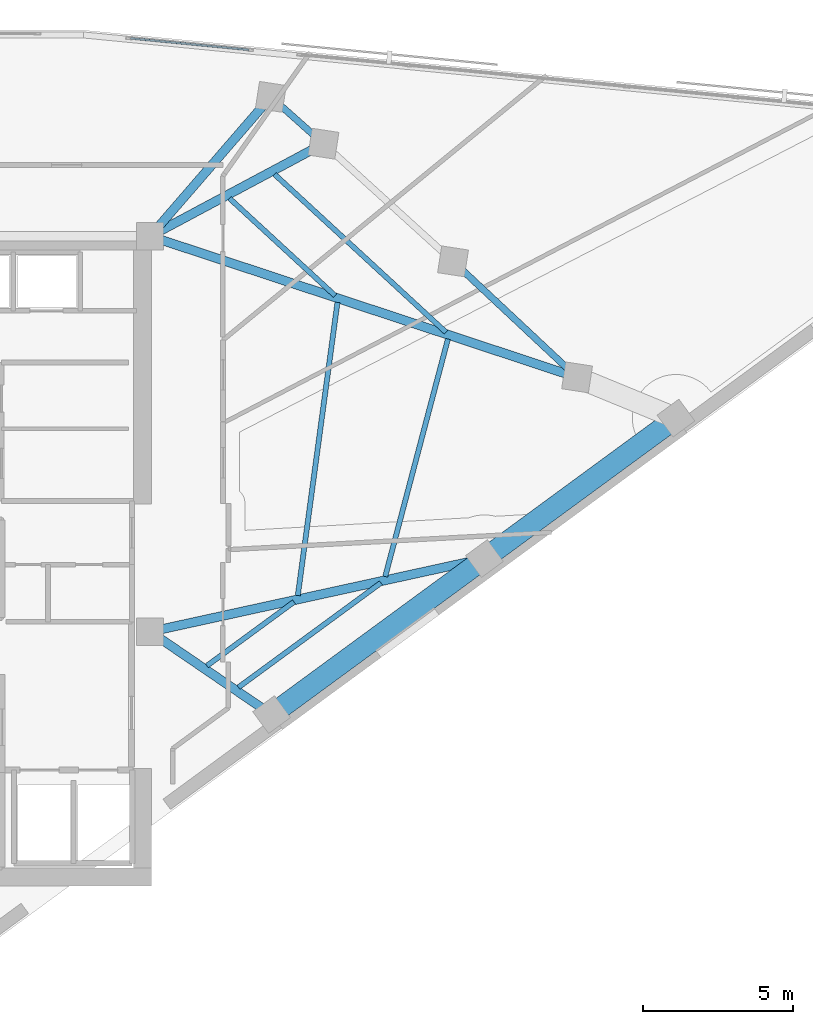
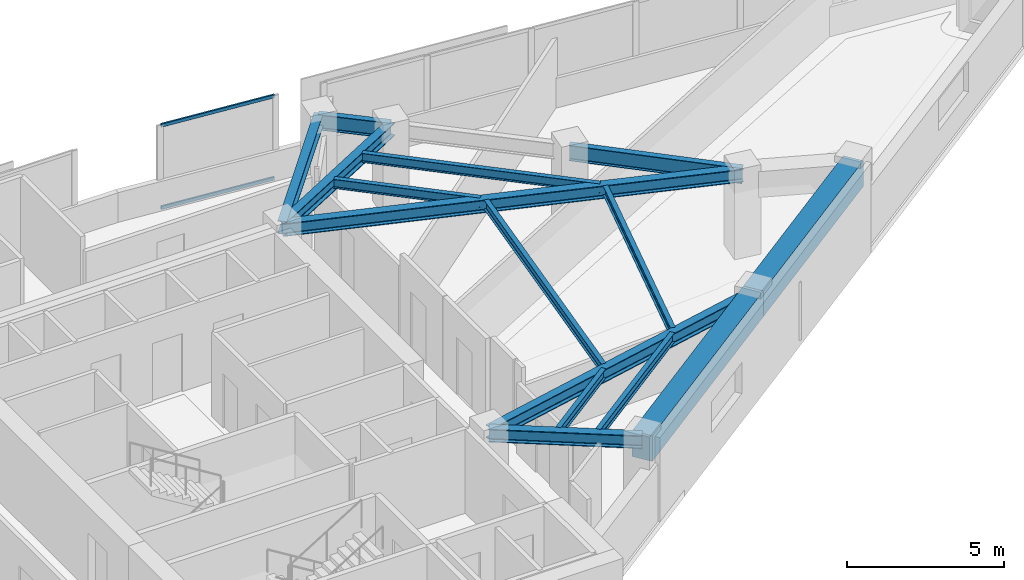
# One storey, part 4 of 13: 15 beams, 2 members, 1 element without a shape of its own.
"""IFC4 building model written with IfcOpenShell, lengths in metres."""

from ifc_helpers import new_model, si_unit, direction, frame, origin, origin_2d, place, context, subcontext, project, spatial, rectangle, hollow_rectangle, i_section, extrude, material, material_profile, profile_set, type_object, element, aggregate, save


model = new_model("IFC4")

# Units and contexts
model_context = context("Model", 3, precision=1e-05, world=origin(), true_north=direction((0.0, 1.0)))
body_context = subcontext(model_context, "Body", "Model", "MODEL_VIEW")
ifc_project = project(units=[si_unit("LENGTHUNIT", "METRE"), si_unit("AREAUNIT", "SQUARE_METRE"), si_unit("VOLUMEUNIT", "CUBIC_METRE"), si_unit("PLANEANGLEUNIT", "RADIAN"), si_unit("MASSUNIT", "GRAM", prefix="KILO")], contexts=[model_context])

# Site, building, storey
site_placement = place(None, origin())
site = spatial("IfcSite", under=ifc_project, at=site_placement, CompositionType="ELEMENT")
building_placement = place(site_placement, origin())
building = spatial("IfcBuilding", under=site, at=building_placement, Name="Narakoshi Arena Tower", CompositionType="ELEMENT")
storey_placement = place(building_placement, frame((0.0, 0.0, 246.659912109375)))
storey = spatial("IfcBuildingStorey", under=building, at=storey_placement, Name="L67", CompositionType="ELEMENT", Elevation=246.659912109375)

# Beams
ifc_material_1 = material(Name="Concrete C60/75", Category="concrete")
ifc_material_profile_1 = material_profile(ifc_material_1, rectangle(XDim=0.699951171875, YDim=1.0, at=origin_2d()), Name="RCB700x1000")
ifc_profile_set_1 = profile_set([ifc_material_profile_1], Name="Concrete C60/75")
beam_type_1 = type_object("IfcBeamType", Name="BM-CPL-1000", PredefinedType="BEAM", material=ifc_profile_set_1)
beam_1_placement = place(storey_placement, frame((89.58642578125, 40.594482421875, 2.760009765625), z_axis=(0.806446564509, 0.591306974922, 0.0), x_axis=(-0.591306974922, 0.806446564509, 0.0)))
element("IfcBeam", 1, at=beam_1_placement, inside=storey, type_object=beam_type_1, Name="L67 Perimeter Edge Girder 01", PredefinedType="BEAM", context=body_context, shape_type="SweptSolid", body=[
    extrude(rectangle(XDim=0.699951171875, YDim=1.0, at=origin_2d()), origin(), (0.0, 0.0, 1.0), 8.775390625),
])
beam_2_placement = place(storey_placement, frame((96.663330078125, 45.783447265625, 2.760009765625), z_axis=(0.806437425649, 0.59131943864, 0.0), x_axis=(-0.59131943864, 0.806437425649, 0.0)))
element("IfcBeam", 2, at=beam_2_placement, inside=storey, type_object=beam_type_1, Name="L67 Perimeter Edge Girder 02", PredefinedType="BEAM", context=body_context, shape_type="SweptSolid", body=[
    extrude(rectangle(XDim=0.699951171875, YDim=1.0, at=origin_2d()), origin(), (0.0, 0.0, 1.0), 7.89794921875),
])
ifc_material_2 = material(Name="Structural steel S355J2", Category="steel")
ifc_material_profile_2 = material_profile(ifc_material_2, i_section(OverallWidth=0.219970703125, OverallDepth=0.60009765625, WebThickness=0.011962890625, FlangeThickness=0.01904296875, FilletRadius=0.02392578125, at=origin_2d()), Name="IPE600")
ifc_profile_set_2 = profile_set([ifc_material_profile_2], Name="Structural steel S355J2")
beam_type_2 = type_object("IfcBeamType", Name="BM-EDGE-600", PredefinedType="BEAM", material=ifc_profile_set_2)
beam_3_placement = place(storey_placement, frame((99.74267578125, 51.80712890625, 2.960205078125), z_axis=(-0.730193480459, 0.683240427006, 0.0), x_axis=(-0.683240427006, -0.730193480459, 0.0)))
element("IfcBeam", 3, at=beam_3_placement, inside=storey, type_object=beam_type_2, Name="L67 Perimeter Edge Girder 04", PredefinedType="BEAM", context=body_context, shape_type="SweptSolid", body=[
    extrude(i_section(OverallWidth=0.219970703125, OverallDepth=0.60009765625, WebThickness=0.011962890625, FlangeThickness=0.01904296875, FilletRadius=0.02392578125, at=origin_2d()), origin(), (0.0, 0.0, 1.0), 5.646728515625),
])
beam_4_placement = place(storey_placement, frame((91.311279296875, 59.576416015625, 2.960205078125), z_axis=(-0.746770864852, 0.665081405099, 0.0), x_axis=(-0.665081405099, -0.746770864852, 0.0)))
element("IfcBeam", 4, at=beam_4_placement, inside=storey, type_object=beam_type_2, Name="L67 Perimeter Edge Girder 06", PredefinedType="BEAM", context=body_context, shape_type="SweptSolid", body=[
    extrude(i_section(OverallWidth=0.219970703125, OverallDepth=0.60009765625, WebThickness=0.011962890625, FlangeThickness=0.01904296875, FilletRadius=0.02392578125, at=origin_2d()), origin(), (0.0, 0.0, 1.0), 2.343017578125),
])
ifc_material_profile_3 = material_profile(ifc_material_2, i_section(OverallWidth=0.300048828125, OverallDepth=0.5, WebThickness=0.014404296875, FlangeThickness=0.028076171875, FilletRadius=0.027099609375, at=origin_2d()), Name="HE500B")
ifc_profile_set_3 = profile_set([ifc_material_profile_3], Name="Structural steel S355J2")
beam_type_3 = type_object("IfcBeamType", Name="BM-PRI-500", PredefinedType="BEAM", material=ifc_profile_set_3)
beam_5_placement = place(storey_placement, frame((85.550048828125, 43.35009765625, 3.010009765625), z_axis=(0.825890057955, -0.563831191201, 0.0), x_axis=(0.563831191201, 0.825890057955, 0.0)))
element("IfcBeam", 5, at=beam_5_placement, inside=storey, type_object=beam_type_3, Name="L67 Radial Primary Floor Girder 01", PredefinedType="BEAM", context=body_context, shape_type="SweptSolid", body=[
    extrude(i_section(OverallWidth=0.300048828125, OverallDepth=0.5, WebThickness=0.014404296875, FlangeThickness=0.028076171875, FilletRadius=0.027099609375, at=origin_2d()), origin(), (0.0, 0.0, 1.0), 4.88720703125),
])
beam_6_placement = place(storey_placement, frame((85.550048828125, 43.35009765625, 3.010009765625), z_axis=(0.976857438099, 0.213891434216, 0.0), x_axis=(-0.213891434216, 0.976857438099, 0.0)))
element("IfcBeam", 6, at=beam_6_placement, inside=storey, type_object=beam_type_3, Name="L67 Radial Primary Floor Girder 02", PredefinedType="BEAM", context=body_context, shape_type="SweptSolid", body=[
    extrude(i_section(OverallWidth=0.300048828125, OverallDepth=0.5, WebThickness=0.014404296875, FlangeThickness=0.028076171875, FilletRadius=0.027099609375, at=origin_2d()), origin(), (0.0, 0.0, 1.0), 11.37646484375),
])
beam_7_placement = place(storey_placement, frame((85.550048828125, 56.5, 3.010009765625), z_axis=(0.949443255158, -0.31393869662, 0.0), x_axis=(0.31393869662, 0.949443255158, 0.0)))
element("IfcBeam", 7, at=beam_7_placement, inside=storey, type_object=beam_type_3, Name="L67 Radial Primary Floor Girder 04", PredefinedType="BEAM", context=body_context, shape_type="SweptSolid", body=[
    extrude(i_section(OverallWidth=0.300048828125, OverallDepth=0.5, WebThickness=0.014404296875, FlangeThickness=0.028076171875, FilletRadius=0.027099609375, at=origin_2d()), origin(), (0.0, 0.0, 1.0), 14.948486328125),
])
beam_8_placement = place(storey_placement, frame((85.550048828125, 56.5, 3.010009765625), z_axis=(0.882113796729, 0.471036357004, 0.0), x_axis=(-0.471036357004, 0.882113796729, 0.0)))
element("IfcBeam", 8, at=beam_8_placement, inside=storey, type_object=beam_type_3, Name="L67 Radial Primary Floor Girder 06", PredefinedType="BEAM", context=body_context, shape_type="SweptSolid", body=[
    extrude(i_section(OverallWidth=0.300048828125, OverallDepth=0.5, WebThickness=0.014404296875, FlangeThickness=0.028076171875, FilletRadius=0.027099609375, at=origin_2d()), origin(), (0.0, 0.0, 1.0), 6.53125),
])
beam_9_placement = place(storey_placement, frame((85.550048828125, 56.5, 3.010009765625), z_axis=(0.654434553487, 0.756118651537, 0.0), x_axis=(-0.756118651537, 0.654434553487, 0.0)))
element("IfcBeam", 9, at=beam_9_placement, inside=storey, type_object=beam_type_3, Name="L67 Radial Primary Floor Girder 07", PredefinedType="BEAM", context=body_context, shape_type="SweptSolid", body=[
    extrude(i_section(OverallWidth=0.300048828125, OverallDepth=0.5, WebThickness=0.014404296875, FlangeThickness=0.028076171875, FilletRadius=0.027099609375, at=origin_2d()), origin(), (0.0, 0.0, 1.0), 6.129638671875),
])
ifc_material_profile_4 = material_profile(ifc_material_2, i_section(OverallWidth=0.169921875, OverallDepth=0.360107421875, WebThickness=0.008056640625, FlangeThickness=0.0126953125, FilletRadius=0.01806640625, at=origin_2d()), Name="IPE360")
ifc_profile_set_4 = profile_set([ifc_material_profile_4], Name="Structural steel S355J2")
beam_type_4 = type_object("IfcBeamType", Name="BM-SEC-360", PredefinedType="JOIST", material=ifc_profile_set_4)
beam_10_placement = place(storey_placement, frame((87.434814453125, 42.21728515625, 3.080078125), z_axis=(0.806454701417, 0.591295877343, 0.0), x_axis=(-0.591295877343, 0.806454701417, 0.0)))
element("IfcBeam", 10, at=beam_10_placement, inside=storey, type_object=beam_type_4, Name="L67 Composite Secondary Floor Joist 01", PredefinedType="JOIST", context=body_context, shape_type="SweptSolid", body=[
    extrude(i_section(OverallWidth=0.169921875, OverallDepth=0.360107421875, WebThickness=0.008056640625, FlangeThickness=0.0126953125, FilletRadius=0.01806640625, at=origin_2d()), origin(), (0.0, 0.0, 1.0), 3.59130859375),
])
beam_11_placement = place(storey_placement, frame((88.484375, 41.5009765625, 3.080078125), z_axis=(0.806443321538, 0.591311397781, 0.0), x_axis=(-0.591311397781, 0.806443321538, 0.0)))
element("IfcBeam", 11, at=beam_11_placement, inside=storey, type_object=beam_type_4, Name="L67 Composite Secondary Floor Joist 02", PredefinedType="JOIST", context=body_context, shape_type="SweptSolid", body=[
    extrude(i_section(OverallWidth=0.169921875, OverallDepth=0.360107421875, WebThickness=0.008056640625, FlangeThickness=0.0126953125, FilletRadius=0.01806640625, at=origin_2d()), origin(), (0.0, 0.0, 1.0), 5.872802734375),
])
beam_12_placement = place(storey_placement, frame((90.4580078125, 44.554443359375, 3.080078125), z_axis=(0.134064156179, 0.990972654531, 0.0), x_axis=(-0.990972654531, 0.134064156179, 0.0)))
element("IfcBeam", 12, at=beam_12_placement, inside=storey, type_object=beam_type_4, Name="L67 Composite Secondary Floor Joist 03", PredefinedType="JOIST", context=body_context, shape_type="SweptSolid", body=[
    extrude(i_section(OverallWidth=0.169921875, OverallDepth=0.360107421875, WebThickness=0.008056640625, FlangeThickness=0.0126953125, FilletRadius=0.01806640625, at=origin_2d()), origin(), (0.0, 0.0, 1.0), 9.835693359375),
])
beam_13_placement = place(storey_placement, frame((93.364013671875, 45.18408203125, 3.080078125), z_axis=(0.255309441517, 0.966859394675, 0.0), x_axis=(-0.966859394675, 0.255309441517, 0.0)))
element("IfcBeam", 13, at=beam_13_placement, inside=storey, type_object=beam_type_4, Name="L67 Composite Secondary Floor Joist 04", PredefinedType="JOIST", context=body_context, shape_type="SweptSolid", body=[
    extrude(i_section(OverallWidth=0.169921875, OverallDepth=0.360107421875, WebThickness=0.008056640625, FlangeThickness=0.0126953125, FilletRadius=0.01806640625, at=origin_2d()), origin(), (0.0, 0.0, 1.0), 8.171142578125),
])
beam_14_placement = place(storey_placement, frame((91.695556640625, 54.526611328125, 3.080078125), z_axis=(-0.735404955646, 0.677627885503, 0.0), x_axis=(-0.677627885503, -0.735404955646, 0.0)))
element("IfcBeam", 14, at=beam_14_placement, inside=storey, type_object=beam_type_4, Name="L67 Composite Secondary Floor Joist 05", PredefinedType="JOIST", context=body_context, shape_type="SweptSolid", body=[
    extrude(i_section(OverallWidth=0.169921875, OverallDepth=0.360107421875, WebThickness=0.008056640625, FlangeThickness=0.0126953125, FilletRadius=0.01806640625, at=origin_2d()), origin(), (0.0, 0.0, 1.0), 4.77490234375),
])
beam_15_placement = place(storey_placement, frame((95.385498046875, 53.306396484375, 3.080078125), z_axis=(-0.735383678615, 0.677650975966, 0.0), x_axis=(-0.677650975966, -0.735383678615, 0.0)))
element("IfcBeam", 15, at=beam_15_placement, inside=storey, type_object=beam_type_4, Name="L67 Composite Secondary Floor Joist 06", PredefinedType="JOIST", context=body_context, shape_type="SweptSolid", body=[
    extrude(i_section(OverallWidth=0.169921875, OverallDepth=0.360107421875, WebThickness=0.008056640625, FlangeThickness=0.0126953125, FilletRadius=0.01806640625, at=origin_2d()), origin(), (0.0, 0.0, 1.0), 7.755615234375),
])

# Curtain wall, members
ifc_material_3 = material(Name="Anodised bronze aluminium 6063-T6", Category="aluminium")
curtain_wall_type = type_object("IfcCurtainWallType", Name="CW-HYP-HIGH", PredefinedType="NOTDEFINED", material=ifc_material_3)
curtain_wall_placement = place(storey_placement, origin())
curtain_wall = element("IfcCurtainWall", 16, at=curtain_wall_placement, inside=storey, type_object=curtain_wall_type, Name="L67 Folded Hypotenuse Curtain Wall 1-2", PredefinedType="NOTDEFINED")
ifc_material_profile_5 = material_profile(ifc_material_3, hollow_rectangle(XDim=0.06494140625, YDim=0.1298828125, WallThickness=0.00390625, OuterFilletRadius=0.0048828125, at=origin_2d()), Name="TRN130x65x4")
ifc_profile_set_5 = profile_set([ifc_material_profile_5], Name="Anodised bronze aluminium 6063-T6")
member_type = type_object("IfcMemberType", Name="MEM-TRN-130", PredefinedType="USERDEFINED", material=ifc_profile_set_5)
member_1_placement = place(storey_placement, frame((88.830810546875, 62.69775390625, 0.032470703125), z_axis=(-0.995301216231, 0.096827108647, 0.0), x_axis=(-0.096827108647, -0.995301216231, 0.0)))
member_1 = element("IfcMember", 17, at=member_1_placement, type_object=member_type, Name="CW-03 transom 1.1", ObjectType="TRANSOM", PredefinedType="USERDEFINED", context=body_context, shape_type="SweptSolid", body=[
    extrude(hollow_rectangle(XDim=0.06494140625, YDim=0.1298828125, WallThickness=0.00390625, OuterFilletRadius=0.0048828125, at=origin_2d()), origin(), (0.0, 0.0, 1.0), 3.9560546875),
])
member_2_placement = place(storey_placement, frame((88.830810546875, 62.69775390625, 3.2275390625), z_axis=(-0.995301216231, 0.096827108647, 0.0), x_axis=(-0.096827108647, -0.995301216231, 0.0)))
member_2 = element("IfcMember", 18, at=member_2_placement, type_object=member_type, Name="CW-03 transom 1.2", ObjectType="TRANSOM", PredefinedType="USERDEFINED", context=body_context, shape_type="SweptSolid", body=[
    extrude(hollow_rectangle(XDim=0.06494140625, YDim=0.1298828125, WallThickness=0.00390625, OuterFilletRadius=0.0048828125, at=origin_2d()), origin(), (0.0, 0.0, 1.0), 3.9560546875),
])
aggregate(curtain_wall, [member_1, member_2])

save(model, "model.ifc")
